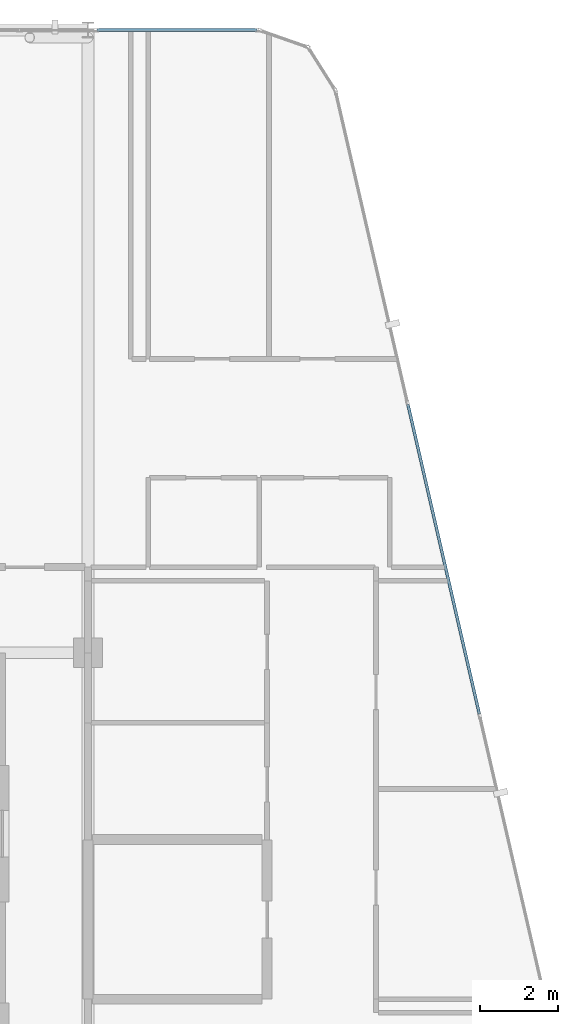
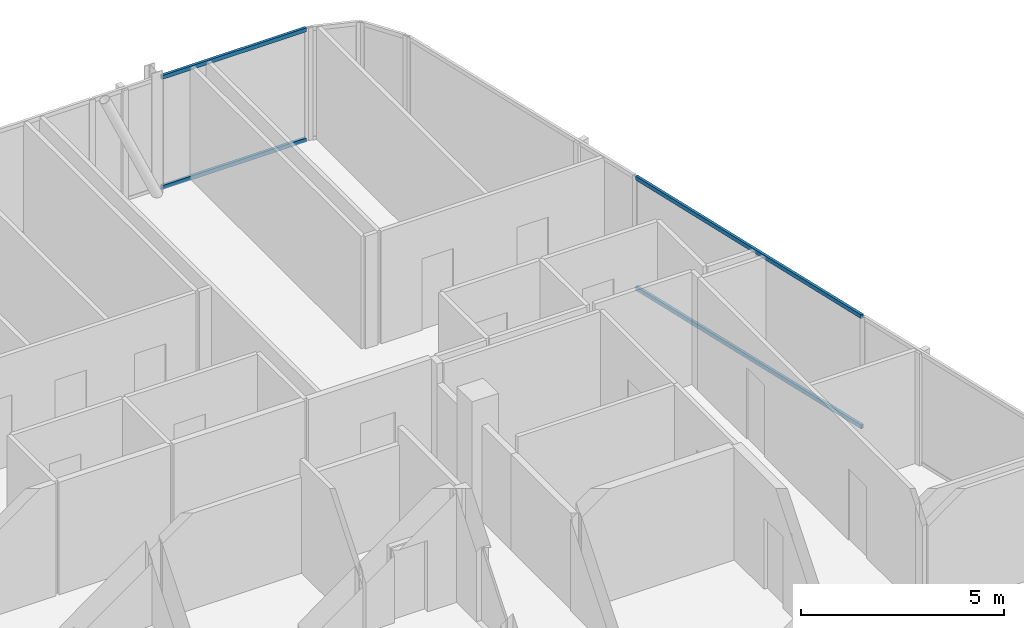
# One storey, part 18 of 28: 4 members, 2 elements without a shape of their own.
"""IFC4 building model written with IfcOpenShell, lengths in metres."""

from ifc_helpers import new_model, si_unit, direction, frame, origin, origin_2d, place, context, subcontext, project, spatial, hollow_rectangle, extrude, material, layer, layer_set, material_profile, profile_set, type_object, element, aggregate, save


model = new_model("IFC4")

# Units and contexts
model_context = context("Model", 3, precision=1e-05, world=origin(), true_north=direction((0.0, 1.0)))
body_context = subcontext(model_context, "Body", "Model", "MODEL_VIEW")
ifc_project = project(units=[si_unit("LENGTHUNIT", "METRE"), si_unit("AREAUNIT", "SQUARE_METRE"), si_unit("VOLUMEUNIT", "CUBIC_METRE"), si_unit("PLANEANGLEUNIT", "RADIAN"), si_unit("MASSUNIT", "GRAM", prefix="KILO")], contexts=[model_context])

# Site, building, storey
site_placement = place(None, origin())
site = spatial("IfcSite", under=ifc_project, at=site_placement, CompositionType="ELEMENT")
building_placement = place(site_placement, origin())
building = spatial("IfcBuilding", under=site, at=building_placement, Name="Keshet Zoharim Tower", CompositionType="ELEMENT")
storey_placement = place(building_placement, frame((0.0, 0.0, 265.800048828125)))
storey = spatial("IfcBuildingStorey", under=building, at=storey_placement, Name="L66", CompositionType="ELEMENT", Elevation=265.800048828125)

# Curtain wall, members
ifc_material = material(Name="Aluminium 6063-T6", Category="aluminium")
ifc_layer = layer(ifc_material, 0.260009765625)
ifc_layer_set = layer_set([ifc_layer], Name="Aluminium 6063-T6")
curtain_wall_type = type_object("IfcCurtainWallType", Name="CW-SYS-06", PredefinedType="NOTDEFINED", material=ifc_layer_set)
curtain_wall_1_placement = place(storey_placement, origin())
curtain_wall_1 = element("IfcCurtainWall", 1, at=curtain_wall_1_placement, inside=storey, type_object=curtain_wall_type, Name="L66 Unitised Curtain Wall 06 Part 5", PredefinedType="NOTDEFINED")
ifc_material_profile = material_profile(ifc_material, hollow_rectangle(XDim=0.074951171875, YDim=0.1201171875, WallThickness=0.00390625, at=origin_2d()), Name="TRN-75x120")
ifc_profile_set = profile_set([ifc_material_profile], Name="Aluminium 6063-T6")
member_type = type_object("IfcMemberType", Name="CWT-T12", PredefinedType="USERDEFINED", material=ifc_profile_set)
member_1_placement = place(storey_placement, frame((33.224853515625, 53.89990234375, 0.034912109375), z_axis=(1.0, 0.0, 0.0), x_axis=(0.0, 1.0, 0.0)))
member_1 = element("IfcMember", 2, at=member_1_placement, type_object=member_type, Name="CW-06 transom 1.1", ObjectType="TRANSOM", PredefinedType="USERDEFINED", context=body_context, shape_type="SweptSolid", body=[
    extrude(hollow_rectangle(XDim=0.074951171875, YDim=0.1201171875, WallThickness=0.00390625, at=origin_2d()), origin(), (0.0, 0.0, 1.0), 4.1142578125),
])
member_2_placement = place(storey_placement, frame((33.224853515625, 53.89990234375, 3.35498046875), z_axis=(1.0, 0.0, 0.0), x_axis=(0.0, 1.0, 0.0)))
member_2 = element("IfcMember", 3, at=member_2_placement, type_object=member_type, Name="CW-06 transom 1.2", ObjectType="TRANSOM", PredefinedType="USERDEFINED", context=body_context, shape_type="SweptSolid", body=[
    extrude(hollow_rectangle(XDim=0.074951171875, YDim=0.1201171875, WallThickness=0.00390625, at=origin_2d()), origin(), (0.0, 0.0, 1.0), 4.1142578125),
])
aggregate(curtain_wall_1, [member_1, member_2])

curtain_wall_2_placement = place(storey_placement, origin())
curtain_wall_2 = element("IfcCurtainWall", 4, at=curtain_wall_2_placement, inside=storey, type_object=curtain_wall_type, Name="L66 Unitised Curtain Wall 09", PredefinedType="NOTDEFINED")
member_3_placement = place(storey_placement, frame((41.218505859375, 44.28662109375, 0.034912109375), z_axis=(0.224826771459, -0.974398749402, 0.0), x_axis=(0.974398749402, 0.224826771459, 0.0)))
member_3 = element("IfcMember", 5, at=member_3_placement, type_object=member_type, Name="CW-06 transom 2.1", ObjectType="TRANSOM", PredefinedType="USERDEFINED", context=body_context, shape_type="SweptSolid", body=[
    extrude(hollow_rectangle(XDim=0.074951171875, YDim=0.1201171875, WallThickness=0.00390625, at=origin_2d()), origin(), (0.0, 0.0, 1.0), 8.17041015625),
])
member_4_placement = place(storey_placement, frame((41.218505859375, 44.28662109375, 3.35498046875), z_axis=(0.224826771459, -0.974398749402, 0.0), x_axis=(0.974398749402, 0.224826771459, 0.0)))
member_4 = element("IfcMember", 6, at=member_4_placement, type_object=member_type, Name="CW-06 transom 2.2", ObjectType="TRANSOM", PredefinedType="USERDEFINED", context=body_context, shape_type="SweptSolid", body=[
    extrude(hollow_rectangle(XDim=0.074951171875, YDim=0.1201171875, WallThickness=0.00390625, at=origin_2d()), origin(), (0.0, 0.0, 1.0), 8.17041015625),
])
aggregate(curtain_wall_2, [member_3, member_4])

save(model, "model.ifc")
